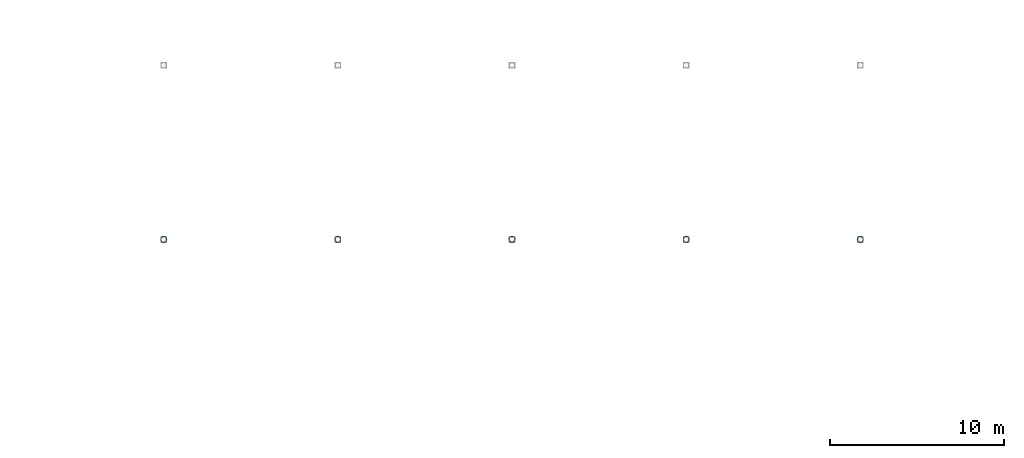
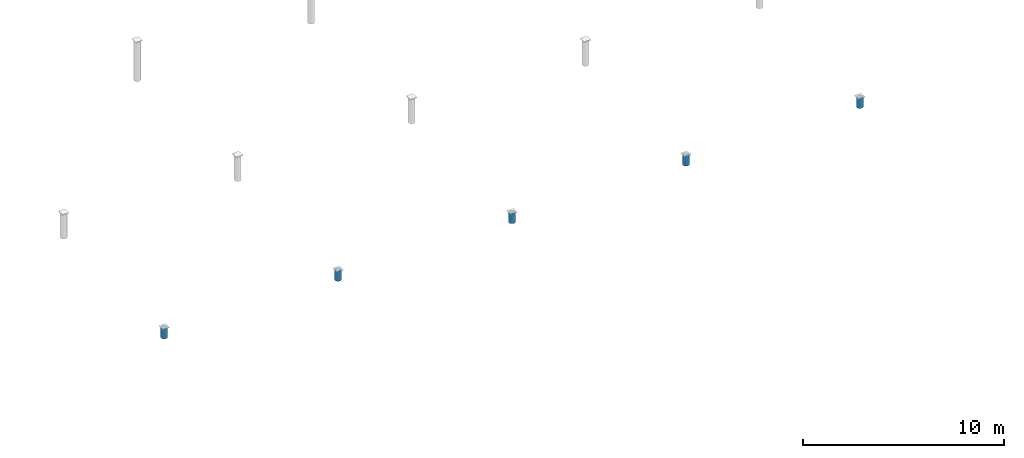
# One storey, part 22 of 122: 5 columns.
"""IFC4 building model written with IfcOpenShell, lengths in metres."""

from ifc_helpers import new_model, si_unit, direction, frame, origin, origin_2d, place, context, subcontext, project, spatial, hollow_circle, extrude, material, material_profile, profile_set, type_object, element, save


model = new_model("IFC4")

# Units and contexts
model_context = context("Model", 3, precision=1e-05, world=origin(), true_north=direction((0.0, 1.0)))
body_context = subcontext(model_context, "Body", "Model", "MODEL_VIEW")
ifc_project = project(units=[si_unit("LENGTHUNIT", "METRE"), si_unit("AREAUNIT", "SQUARE_METRE"), si_unit("VOLUMEUNIT", "CUBIC_METRE"), si_unit("PLANEANGLEUNIT", "RADIAN"), si_unit("MASSUNIT", "GRAM", prefix="KILO"), si_unit("THERMODYNAMICTEMPERATUREUNIT", "KELVIN"), si_unit("POWERUNIT", "WATT")], contexts=[model_context])

# Site, building, storey
site_placement = place(None, origin())
site = spatial("IfcSite", under=ifc_project, at=site_placement, CompositionType="ELEMENT")
building_placement = place(site_placement, origin())
building = spatial("IfcBuilding", under=site, at=building_placement, Name="Korenveer Ferry Terminal", CompositionType="ELEMENT")
storey_placement = place(building_placement, frame((0.0, 0.0, 10.199951171875)))
storey = spatial("IfcBuildingStorey", under=building, at=storey_placement, Name="L02", CompositionType="ELEMENT", Elevation=10.199951171875)

# Columns
ifc_material = material(Name="Steel S355", Category="steel")
ifc_material_profile = material_profile(ifc_material, hollow_circle(Radius=0.177734375, WallThickness=0.01611328125, at=origin_2d()), Name="CHS 355.6x16")
ifc_profile_set = profile_set([ifc_material_profile], Name="Steel S355")
column_type = type_object("IfcColumnType", Name="STR-COL-CHS355", PredefinedType="COLUMN", material=ifc_profile_set)
for number, where, z_axis, x_axis, name in (
    (1, (63.0, 20.0, 0.001953125), (0.0, 0.0, 1.0), (1.0, 0.0, 0.0), "Folded roof valley support column RCOL-X63-Y20"),
    (2, (73.0, 20.0, 0.001953125), (0.0, 0.0, 1.0), (1.0, 0.0, 0.0), "Folded roof valley support column RCOL-X73-Y20"),
    (3, (83.0, 20.0, 0.001953125), (0.0, 0.0, 1.0), (1.0, 0.0, 0.0), "Folded roof valley support column RCOL-X83-Y20"),
    (4, (93.0, 20.0, 0.001953125), (0.0, 0.0, 1.0), (1.0, 0.0, 0.0), "Folded roof valley support column RCOL-X93-Y20"),
    (5, (103.0, 20.0, 0.001953125), (0.0, 0.0, 1.0), (1.0, 0.0, 0.0), "Folded roof valley support column RCOL-X103-Y20"),
):
    element("IfcColumn", number, at=place(storey_placement, frame(where, z_axis=z_axis, x_axis=x_axis)), inside=storey, type_object=column_type, Name=name, PredefinedType="COLUMN", context=body_context, shape_type="SweptSolid", body=[
        extrude(hollow_circle(Radius=0.177734375, WallThickness=0.01611328125, at=origin_2d()), origin(), (0.0, 0.0, 1.0), 0.596435546875),
    ])

save(model, "model.ifc")
